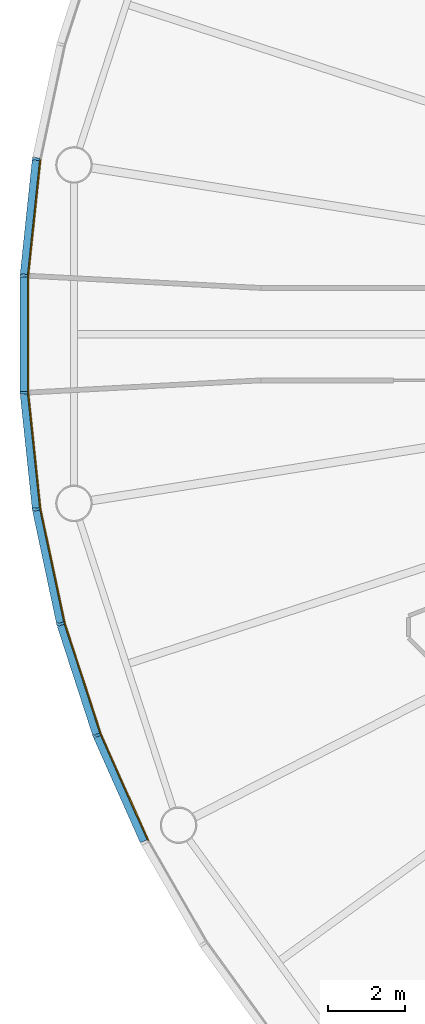
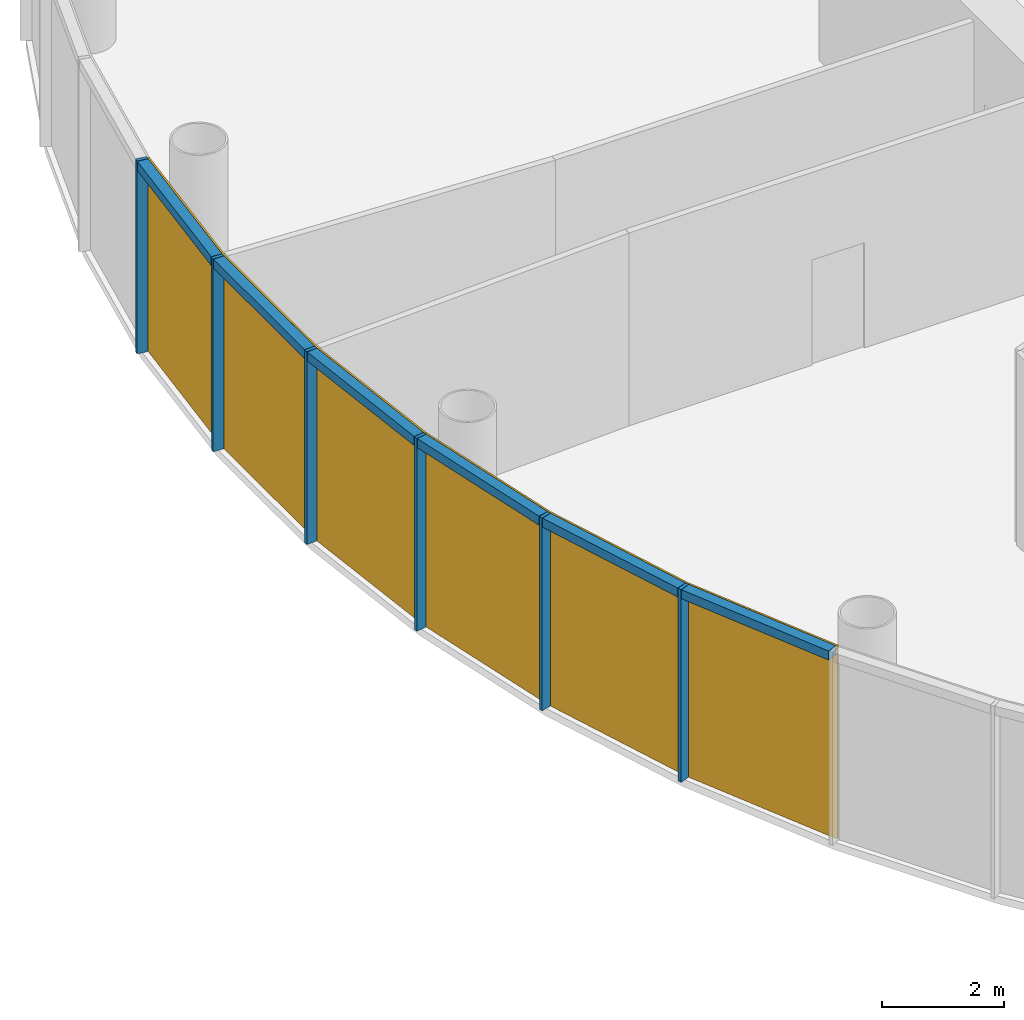
# One storey, part 8 of 13: 12 members, 2 curtain walls.
"""IFC4 building model written with IfcOpenShell, lengths in metres."""

from ifc_helpers import new_model, si_unit, direction, frame, origin, origin_2d, place, context, subcontext, project, spatial, polyline, rectangle, outline, extrude, material, layer, layer_set, material_profile, profile_set, type_object, element, aggregate, save


model = new_model("IFC4")

# Units and contexts
model_context = context("Model", 3, precision=1e-05, world=origin(), true_north=direction((0.0, 1.0)))
body_context = subcontext(model_context, "Body", "Model", "MODEL_VIEW")
ifc_project = project(units=[si_unit("LENGTHUNIT", "METRE"), si_unit("AREAUNIT", "SQUARE_METRE"), si_unit("VOLUMEUNIT", "CUBIC_METRE"), si_unit("PLANEANGLEUNIT", "RADIAN"), si_unit("MASSUNIT", "GRAM", prefix="KILO")], contexts=[model_context])

# Member
ifc_material_1 = material(Name="Anodised aluminium", Category="aluminium")
ifc_material_profile_1 = material_profile(ifc_material_1, rectangle(XDim=0.06494140625, YDim=0.195068359375, at=origin_2d()), Name="Mullion 65 x 195 mm anodised aluminium")
ifc_profile_set_1 = profile_set([ifc_material_profile_1], Name="Anodised aluminium")
member_type_1 = type_object("IfcMemberType", Name="Mullion 65 x 195 mm anodised aluminium", PredefinedType="MULLION", material=ifc_profile_set_1)
site_placement = place(None, origin())
building_placement = place(site_placement, origin())
storey_placement = place(building_placement, frame((0.0, 0.0, 298.0)))
member_1_placement = place(storey_placement, frame((61.2607421875, 84.5517578125, 0.0), z_axis=(0.0, 0.0, 1.0), x_axis=(-0.15643446504, -0.987688340595, 0.0)))
member_1 = element("IfcMember", 1, at=member_1_placement, type_object=member_type_1, Name="MULLION L68-27", PredefinedType="MULLION", context=body_context, shape_type="SweptSolid", body=[
    extrude(rectangle(XDim=0.06494140625, YDim=0.195068359375, at=origin_2d()), origin(), (0.0, 0.0, 1.0), 3.85009765625),
])

member_2_placement = place(storey_placement, frame((60.9423828125, 81.52294921875, 0.0), z_axis=(0.0, 0.0, 1.0), x_axis=(-0.052335956243, -0.998629534755, 0.0)))
member_2 = element("IfcMember", 2, at=member_2_placement, type_object=member_type_1, Name="MULLION L68-28", PredefinedType="MULLION", context=body_context, shape_type="SweptSolid", body=[
    extrude(rectangle(XDim=0.06494140625, YDim=0.195068359375, at=origin_2d()), origin(), (0.0, 0.0, 1.0), 3.85009765625),
])

member_3_placement = place(storey_placement, frame((60.9423828125, 78.47705078125, 0.0), z_axis=(0.0, 0.0, 1.0), x_axis=(0.052335956243, -0.998629534755, 0.0)))
member_3 = element("IfcMember", 3, at=member_3_placement, type_object=member_type_1, Name="MULLION L68-29", PredefinedType="MULLION", context=body_context, shape_type="SweptSolid", body=[
    extrude(rectangle(XDim=0.06494140625, YDim=0.195068359375, at=origin_2d()), origin(), (0.0, 0.0, 1.0), 3.85009765625),
])

member_4_placement = place(storey_placement, frame((61.2607421875, 75.4482421875, 0.0), z_axis=(0.0, 0.0, 1.0), x_axis=(0.15643446504, -0.987688340595, 0.0)))
member_4 = element("IfcMember", 4, at=member_4_placement, type_object=member_type_1, Name="MULLION L68-30", PredefinedType="MULLION", context=body_context, shape_type="SweptSolid", body=[
    extrude(rectangle(XDim=0.06494140625, YDim=0.195068359375, at=origin_2d()), origin(), (0.0, 0.0, 1.0), 3.85009765625),
])

member_5_placement = place(storey_placement, frame((61.89404296875, 72.468994140625, 0.0), z_axis=(0.0, 0.0, 1.0), x_axis=(0.258819045103, -0.965925826289, 0.0)))
member_5 = element("IfcMember", 5, at=member_5_placement, type_object=member_type_1, Name="MULLION L68-31", PredefinedType="MULLION", context=body_context, shape_type="SweptSolid", body=[
    extrude(rectangle(XDim=0.06494140625, YDim=0.195068359375, at=origin_2d()), origin(), (0.0, 0.0, 1.0), 3.85009765625),
])

member_6_placement = place(storey_placement, frame((62.835205078125, 69.572509765625, 0.0), z_axis=(0.0, 0.0, 1.0), x_axis=(0.358367949545, -0.933580426497, 0.0)))
member_6 = element("IfcMember", 6, at=member_6_placement, type_object=member_type_1, Name="MULLION L68-32", PredefinedType="MULLION", context=body_context, shape_type="SweptSolid", body=[
    extrude(rectangle(XDim=0.06494140625, YDim=0.195068359375, at=origin_2d()), origin(), (0.0, 0.0, 1.0), 3.85009765625),
])

ifc_material_2 = material(Name="Anodised aluminium", Category="aluminium")
ifc_material_profile_2 = material_profile(ifc_material_2, rectangle(XDim=0.195068359375, YDim=0.179931640625, at=origin_2d()), Name="Transom 180 x 195 mm anodised aluminium")
ifc_profile_set_2 = profile_set([ifc_material_profile_2], Name="Anodised aluminium")
member_type_2 = type_object("IfcMemberType", Name="Transom 180 x 195 mm anodised aluminium", PredefinedType="USERDEFINED", material=ifc_profile_set_2)
member_7_placement = place(storey_placement, frame((61.256591796875, 84.514404296875, 3.760009765625), z_axis=(-0.104466577987, -0.994528397827, 0.0), x_axis=(0.994528397827, -0.104466577987, 0.0)))
member_7 = element("IfcMember", 7, at=member_7_placement, type_object=member_type_2, Name="TRANSOM L68-27", ObjectType="TRANSOM", PredefinedType="USERDEFINED", context=body_context, shape_type="SweptSolid", body=[
    extrude(rectangle(XDim=0.195068359375, YDim=0.179931640625, at=origin_2d()), origin(), (0.0, 0.0, 1.0), 2.970458984375),
])

member_8_placement = place(storey_placement, frame((60.942138671875, 81.4853515625, 3.760009765625), z_axis=(0.0, -1.0, 0.0), x_axis=(1.0, 0.0, 0.0)))
member_8 = element("IfcMember", 8, at=member_8_placement, type_object=member_type_2, Name="TRANSOM L68-28", ObjectType="TRANSOM", PredefinedType="USERDEFINED", context=body_context, shape_type="SweptSolid", body=[
    extrude(rectangle(XDim=0.195068359375, YDim=0.179931640625, at=origin_2d()), origin(), (0.0, 0.0, 1.0), 2.970703125),
])

member_9_placement = place(storey_placement, frame((60.9462890625, 78.439697265625, 3.760009765625), z_axis=(0.104466577987, -0.994528397827, 0.0), x_axis=(0.994528397827, 0.104466577987, 0.0)))
member_9 = element("IfcMember", 9, at=member_9_placement, type_object=member_type_2, Name="TRANSOM L68-29", ObjectType="TRANSOM", PredefinedType="USERDEFINED", context=body_context, shape_type="SweptSolid", body=[
    extrude(rectangle(XDim=0.195068359375, YDim=0.179931640625, at=origin_2d()), origin(), (0.0, 0.0, 1.0), 2.970458984375),
])

member_10_placement = place(storey_placement, frame((61.268310546875, 75.411376953125, 3.760009765625), z_axis=(0.207940342877, -0.978141510112, 0.0), x_axis=(0.978141510112, 0.207940342877, 0.0)))
member_10 = element("IfcMember", 10, at=member_10_placement, type_object=member_type_2, Name="TRANSOM L68-30", ObjectType="TRANSOM", PredefinedType="USERDEFINED", context=body_context, shape_type="SweptSolid", body=[
    extrude(rectangle(XDim=0.195068359375, YDim=0.179931640625, at=origin_2d()), origin(), (0.0, 0.0, 1.0), 2.970458984375),
])

member_11_placement = place(storey_placement, frame((61.905517578125, 72.43310546875, 3.760009765625), z_axis=(0.309043326415, -0.951047960094, 0.0), x_axis=(0.951047960094, 0.309043326415, 0.0)))
member_11 = element("IfcMember", 11, at=member_11_placement, type_object=member_type_2, Name="TRANSOM L68-31", ObjectType="TRANSOM", PredefinedType="USERDEFINED", context=body_context, shape_type="SweptSolid", body=[
    extrude(rectangle(XDim=0.195068359375, YDim=0.179931640625, at=origin_2d()), origin(), (0.0, 0.0, 1.0), 2.970458984375),
])

member_12_placement = place(storey_placement, frame((62.850341796875, 69.5380859375, 3.760009765625), z_axis=(0.406725527369, -0.913550406593, 0.0), x_axis=(0.913550406593, 0.406725527369, 0.0)))
member_12 = element("IfcMember", 12, at=member_12_placement, type_object=member_type_2, Name="TRANSOM L68-32", ObjectType="TRANSOM", PredefinedType="USERDEFINED", context=body_context, shape_type="SweptSolid", body=[
    extrude(rectangle(XDim=0.195068359375, YDim=0.179931640625, at=origin_2d()), origin(), (0.0, 0.0, 1.0), 2.970703125),
])

# Site, building, storey
site = spatial("IfcSite", under=ifc_project, at=site_placement, CompositionType="ELEMENT")
building = spatial("IfcBuilding", under=site, at=building_placement, Name="Entoto Ring Tower", CompositionType="ELEMENT")
storey = spatial("IfcBuildingStorey", under=building, at=storey_placement, Name="L68", CompositionType="ELEMENT", Elevation=298.0)

# Curtain wall
ifc_material_3 = material(Name="Clear low-iron glass", Category="glass")
ifc_layer = layer(ifc_material_3, 0.033935546875)
ifc_layer_set = layer_set([ifc_layer], Name="Clear low-iron glass")
curtain_wall_type = type_object("IfcCurtainWallType", Name="Curtain wall system CW5 glazing 34 mm", PredefinedType="NOTDEFINED", material=ifc_layer_set)
curtain_wall_1_placement = place(storey_placement, origin())
curtain_wall_1 = element("IfcCurtainWall", 13, at=curtain_wall_1_placement, inside=storey, type_object=curtain_wall_type, Name="CW5 L68-10", PredefinedType="NOTDEFINED", context=body_context, shape_type="SweptSolid", body=[
    extrude(outline(polyline([(61.35693359375, 84.53662109375), (61.039794921875, 81.517822265625), (61.039794921875, 78.482177734375), (61.35693359375, 75.46337890625), (61.390625, 75.46875), (61.07373046875, 78.484130859375), (61.07373046875, 81.515869140625), (61.390625, 84.53125), (61.35693359375, 84.53662109375)])), origin(), (0.0, 0.0, 1.0), 3.85009765625),
])

aggregate(curtain_wall_1, [member_1, member_2, member_3, member_7, member_8, member_9])

curtain_wall_2_placement = place(storey_placement, origin())
curtain_wall_2 = element("IfcCurtainWall", 14, at=curtain_wall_2_placement, inside=storey, type_object=curtain_wall_type, Name="CW5 L68-11", PredefinedType="NOTDEFINED", context=body_context, shape_type="SweptSolid", body=[
    extrude(outline(polyline([(61.35693359375, 75.46337890625), (61.988037109375, 72.494140625), (62.92626953125, 69.607421875), (64.160888671875, 66.834228515625), (64.191162109375, 66.849853515625), (62.9580078125, 69.61962890625), (62.02099609375, 72.503173828125), (61.390625, 75.46875), (61.35693359375, 75.46337890625)])), origin(), (0.0, 0.0, 1.0), 3.85009765625),
])

aggregate(curtain_wall_2, [member_4, member_5, member_6, member_10, member_11, member_12])

save(model, "model.ifc")
